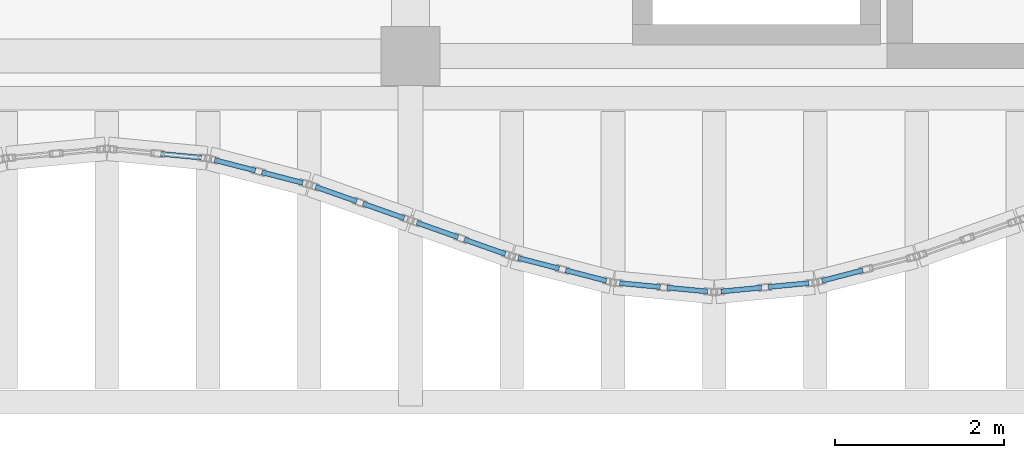
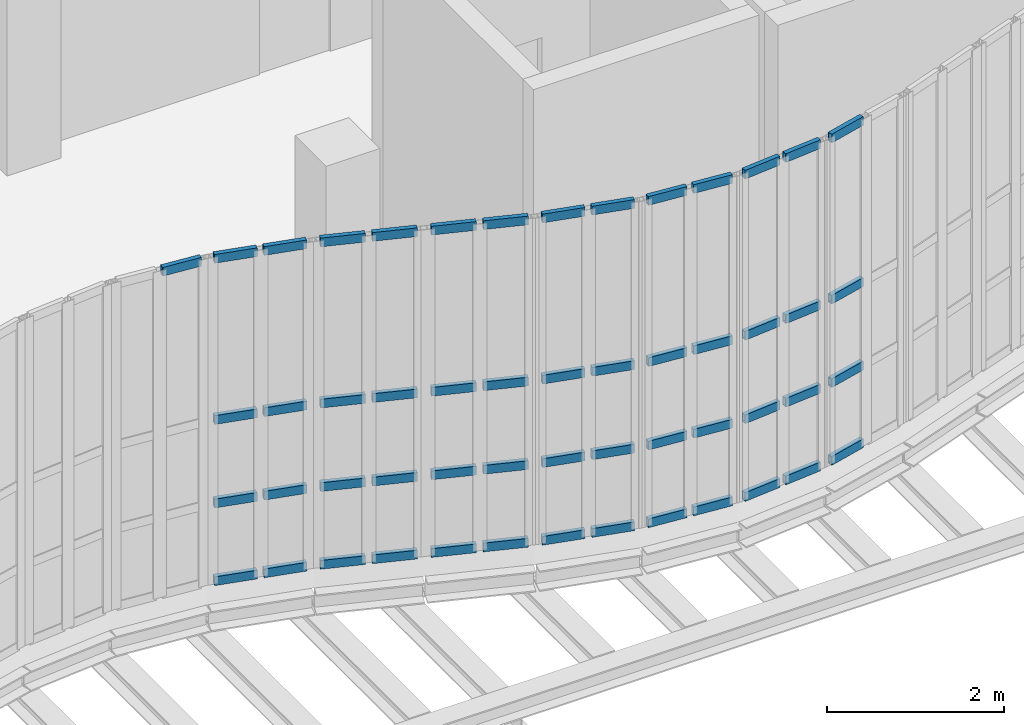
# One storey, part 61 of 108: 53 members, 8 elements without a shape of their own.
"""IFC4 building model written with IfcOpenShell, lengths in metres."""

import ifcopenshell
import ifcopenshell.guid

model = None  # the IFC model being written
_history = None  # IfcOwnerHistory: only IFC2X3 demands one
_inside = {}  # id of a spatial element -> (the spatial element, [elements in it])
_under = {}  # id of a project, library or spatial element -> (it, [spatial elements below it])
_declared = {}  # id of a project -> (the project, [libraries it declares])
_typed = {}  # id of a type object -> (the type object, [elements of that type])
_made_of = {}  # id of a material, layer set ... -> (it, [elements and type objects made of it])


def new_model(schema):
    """Start an empty IFC model of exactly this schema.

    Asked for "IFC4X3", IfcOpenShell would pick the latest addendum, in which some entities
    have other attributes; the version numbers below select the first issue.
    IFC2X3 requires an IfcOwnerHistory on every rooted entity: one is made here for all.
    """
    global model, _history
    if schema == "IFC4X3":
        model = ifcopenshell.file(schema_version=(4, 3, 0, 0))
    else:
        model = ifcopenshell.file(schema=schema)
    _inside.clear()
    _under.clear()
    _declared.clear()
    _typed.clear()
    _made_of.clear()
    _history = None
    if model.schema == "IFC2X3":
        org = make("IfcOrganization", Name="unknown")
        user = make(
            "IfcPersonAndOrganization",
            ThePerson=make("IfcPerson", FamilyName="unknown"),
            TheOrganization=org,
        )
        app = make(
            "IfcApplication",
            ApplicationDeveloper=org,
            Version="unknown",
            ApplicationFullName="unknown",
            ApplicationIdentifier="unknown",
        )
        _history = make(
            "IfcOwnerHistory",
            OwningUser=user,
            OwningApplication=app,
            ChangeAction="ADDED",
            CreationDate=0,
        )
    return model


def make(cls, **values):
    """One entity of the class cls with the attributes given. An attribute that is None is left unset."""
    return model.create_entity(
        cls, **{name: value for name, value in values.items() if value is not None}
    )


def rooted(cls, **values):
    """An entity with a GlobalId (a new one), such as an element, a storey or a relation."""
    return make(cls, GlobalId=ifcopenshell.guid.new(), OwnerHistory=_history, **values)


def si_unit(unit_type, name, prefix=None):
    """IfcSIUnit, for example si_unit("LENGTHUNIT", "METRE", prefix="MILLI")."""
    return make("IfcSIUnit", UnitType=unit_type, Prefix=prefix, Name=name)


def assignment(units):
    """IfcUnitAssignment: the units of a project."""
    return None if units is None else make("IfcUnitAssignment", Units=units)


def point(xyz):
    """IfcCartesianPoint."""
    return None if xyz is None else make("IfcCartesianPoint", Coordinates=xyz)


def direction(xyz):
    """IfcDirection."""
    return None if xyz is None else make("IfcDirection", DirectionRatios=xyz)


def frame(location, z_axis=None, x_axis=None):
    """IfcAxis2Placement3D, a coordinate frame: its origin and axes. An axis left out is left unset."""
    return make(
        "IfcAxis2Placement3D",
        Location=point(location),
        Axis=direction(z_axis),
        RefDirection=direction(x_axis),
    )


def frame_2d(location, x_axis=None):
    """IfcAxis2Placement2D, a coordinate frame in the plane: its origin and x axis."""
    return make(
        "IfcAxis2Placement2D", Location=point(location), RefDirection=direction(x_axis)
    )


def origin():
    """The frame at (0, 0, 0) with its axes left unset."""
    return frame((0.0, 0.0, 0.0))


def origin_2d():
    """The frame at (0, 0) in the plane with its x axis left unset."""
    return frame_2d((0.0, 0.0))


def place(relative_to, where):
    """IfcLocalPlacement: puts the frame where relative to a parent placement (None: the world)."""
    return make(
        "IfcLocalPlacement", PlacementRelTo=relative_to, RelativePlacement=where
    )


def context(
    kind, dimensions, precision=None, world=None, true_north=None, identifier=None
):
    """IfcGeometricRepresentationContext, for example the 3D "Model" context."""
    return make(
        "IfcGeometricRepresentationContext",
        ContextIdentifier=identifier,
        ContextType=kind,
        CoordinateSpaceDimension=dimensions,
        Precision=precision,
        WorldCoordinateSystem=world,
        TrueNorth=true_north,
    )


def subcontext(parent, identifier, kind, view, scale=None):
    """IfcGeometricRepresentationSubContext, for example "Body" below "Model"."""
    return make(
        "IfcGeometricRepresentationSubContext",
        ContextIdentifier=identifier,
        ContextType=kind,
        ParentContext=parent,
        TargetScale=scale,
        TargetView=view,
    )


def project(units=None, contexts=None):
    """IfcProject with its units and contexts."""
    return rooted(
        "IfcProject",
        Name="project",
        RepresentationContexts=contexts,
        UnitsInContext=assignment(units),
    )


def spatial(cls, under=None, at=None, **own):
    """A site, building, storey or space (cls), placed at a placement, below another one or the project."""
    s = rooted(cls, ObjectPlacement=at, **own)
    if under is not None:
        _under.setdefault(under.id(), (under, []))[1].append(s)
    return s


def profile(cls, at=None, kind="AREA", **sizes):
    """A parametric profile (cls). Its sizes go by their IFC names, for example OverallWidth=200.0."""
    return make(cls, ProfileType=kind, Position=at, **sizes)


def hollow_rectangle(**sizes):
    """IfcRectangleHollowProfileDef."""
    return profile("IfcRectangleHollowProfileDef", **sizes)


def extrude(swept, where, along, depth):
    """IfcExtrudedAreaSolid: the profile swept, set in the frame where, extruded along a direction by depth."""
    return make(
        "IfcExtrudedAreaSolid",
        SweptArea=swept,
        Position=where,
        ExtrudedDirection=direction(along),
        Depth=depth,
    )


def shape(context_of_items, identifier, shape_type, items):
    """IfcShapeRepresentation: the items that make up one representation, for example the "Body"."""
    return make(
        "IfcShapeRepresentation",
        ContextOfItems=context_of_items,
        RepresentationIdentifier=identifier,
        RepresentationType=shape_type,
        Items=items,
    )


def material(Name=None, Category=None):
    """IfcMaterial."""
    return make("IfcMaterial", Name=Name, Category=Category)


def layer(
    of_material, thickness, ventilated=None, Name=None, Category=None, Priority=None
):
    """IfcMaterialLayer: one layer of a wall or slab, of a material (None: an air gap)."""
    return make(
        "IfcMaterialLayer",
        Material=of_material,
        LayerThickness=thickness,
        IsVentilated=ventilated,
        Name=Name,
        Category=Category,
        Priority=Priority,
    )


def layer_set(layers, Name=None):
    """IfcMaterialLayerSet."""
    return make("IfcMaterialLayerSet", MaterialLayers=layers, LayerSetName=Name)


def material_profile(
    of_material, cross_section, Name=None, Category=None, Priority=None
):
    """IfcMaterialProfile: a cross section and its material."""
    return make(
        "IfcMaterialProfile",
        Name=Name,
        Material=of_material,
        Profile=cross_section,
        Priority=Priority,
        Category=Category,
    )


def profile_set(profiles, Name=None, composite=None):
    """IfcMaterialProfileSet."""
    return make(
        "IfcMaterialProfileSet",
        Name=Name,
        MaterialProfiles=profiles,
        CompositeProfile=composite,
    )


def made_of(thing, what):
    """Note that an element or type object is made of a material, layer set ...; save() writes the relation."""
    if what is not None:
        _made_of.setdefault(what.id(), (what, []))[1].append(thing)
    return thing


def type_object(cls, material=None, **own):
    """A type object (cls), such as IfcWallType, which elements share."""
    return made_of(rooted(cls, **own), material)


def element(
    cls,
    number,
    at=None,
    inside=None,
    cuts=None,
    type_object=None,
    material=None,
    context=None,
    identifier="Body",
    shape_type=None,
    held_by="IfcProductDefinitionShape",
    body=None,
    shapes=None,
    **own,
):
    """One element of the class cls, such as IfcWall. Its Tag is "e" and its number.

    at: its placement. inside: the storey or other place that contains it. cuts: it is an
    opening in that element (IfcRelVoidsElement). A single representation is given by context,
    identifier, shape_type and body (its items); several are given by shapes. held_by: the class
    of the entity that holds the representations. save() writes the other relations.
    """
    e = rooted(cls, Tag="e%d" % number, ObjectPlacement=at, **own)
    if body is not None:
        shapes = [shape(context, identifier, shape_type, body)]
    if shapes is not None:
        e.Representation = make(held_by, Representations=shapes)
    if inside is not None:
        _inside.setdefault(inside.id(), (inside, []))[1].append(e)
    if cuts is not None:
        rooted(
            "IfcRelVoidsElement", RelatingBuildingElement=cuts, RelatedOpeningElement=e
        )
    if type_object is not None:
        _typed.setdefault(type_object.id(), (type_object, []))[1].append(e)
    return made_of(e, material)


def aggregate(whole, parts):
    """IfcRelAggregates: a whole, such as a stair, and the parts it consists of."""
    return rooted("IfcRelAggregates", RelatingObject=whole, RelatedObjects=parts)


def save(model, path):
    """Write the relations noted so far, then the file.

    IfcRelAggregates (storeys below a building ...), IfcRelContainedInSpatialStructure (elements
    in a storey), IfcRelDefinesByType, IfcRelAssociatesMaterial and IfcRelDeclares: one each for
    every whole, place, type object, material and project.
    """
    for whole, parts in _under.values():
        aggregate(whole, parts)
    for where, things in _inside.values():
        rooted(
            "IfcRelContainedInSpatialStructure",
            RelatedElements=things,
            RelatingStructure=where,
        )
    for kind, things in _typed.values():
        rooted("IfcRelDefinesByType", RelatedObjects=things, RelatingType=kind)
    for what, things in _made_of.values():
        rooted("IfcRelAssociatesMaterial", RelatedObjects=things, RelatingMaterial=what)
    for by, libraries in _declared.values():
        rooted("IfcRelDeclares", RelatingContext=by, RelatedDefinitions=libraries)
    model.write(path)


model = new_model("IFC4")

# Units and contexts
model_context = context("Model", 3, precision=1e-05, world=origin(), true_north=direction((0.0, 1.0)))
body_context = subcontext(model_context, "Body", "Model", "MODEL_VIEW")
ifc_project = project(units=[si_unit("LENGTHUNIT", "METRE"), si_unit("AREAUNIT", "SQUARE_METRE"), si_unit("VOLUMEUNIT", "CUBIC_METRE"), si_unit("PLANEANGLEUNIT", "RADIAN"), si_unit("MASSUNIT", "GRAM", prefix="KILO"), si_unit("THERMODYNAMICTEMPERATUREUNIT", "KELVIN"), si_unit("POWERUNIT", "WATT")], contexts=[model_context])

# Site, building, storey
site_placement = place(None, origin())
site = spatial("IfcSite", under=ifc_project, at=site_placement, CompositionType="ELEMENT")
building_placement = place(site_placement, origin())
building = spatial("IfcBuilding", under=site, at=building_placement, Name="Kaldorven Railside Theatre", CompositionType="ELEMENT")
storey_placement = place(building_placement, frame((0.0, 0.0, 5.39990234375)))
storey = spatial("IfcBuildingStorey", under=building, at=storey_placement, Name="L01", CompositionType="ELEMENT", Elevation=5.39990234375)

# Curtain wall, member
ifc_material_1 = material(Name="Low-E laminated solar-control glass", Category="glass")
ifc_layer_1 = layer(ifc_material_1, 0.159912109375, Name="Low-E laminated solar-control glass")
ifc_layer_set_1 = layer_set([ifc_layer_1], Name="Low-E laminated solar-control glass")
curtain_wall_type_1 = type_object("IfcCurtainWallType", Name="CWT-03", PredefinedType="USERDEFINED", material=ifc_layer_set_1)
curtain_wall_1_placement = place(storey_placement, origin())
curtain_wall_1 = element("IfcCurtainWall", 1, at=curtain_wall_1_placement, inside=storey, type_object=curtain_wall_type_1, Name="Sinusoidal Fluted Curtain Wall CW-L01-S52", ObjectType="FLUTED GLAZING", PredefinedType="USERDEFINED")
ifc_material_2 = material(Name="Anodised bronze aluminium", Category="aluminium")
ifc_material_profile = material_profile(ifc_material_2, hollow_rectangle(XDim=0.06005859375, YDim=0.1201171875, WallThickness=0.0048828125, at=origin_2d()), Name="RHS 120x60x5")
ifc_profile_set = profile_set([ifc_material_profile], Name="Anodised bronze aluminium")
member_type = type_object("IfcMemberType", Name="CWT-120", PredefinedType="USERDEFINED", material=ifc_profile_set)
member_1_placement = place(storey_placement, frame((98.639892578125, 18.039306640625, 4.47021484375), z_axis=(0.995515910823, -0.094594245591, 0.0), x_axis=(0.094594245591, 0.995515910823, 0.0)))
member_1 = element("IfcMember", 2, at=member_1_placement, type_object=member_type, Name="CW-L01-S52 transom 2.4", ObjectType="TRANSOM", PredefinedType="USERDEFINED", context=body_context, shape_type="SweptSolid", body=[
    extrude(hollow_rectangle(XDim=0.06005859375, YDim=0.1201171875, WallThickness=0.0048828125, at=origin_2d()), origin(), (0.0, 0.0, 1.0), 0.482666015625),
])
aggregate(curtain_wall_1, [member_1])

# Curtain wall, members
ifc_layer_2 = layer(ifc_material_1, 0.159912109375, Name="Low-E laminated solar-control glass")
ifc_layer_set_2 = layer_set([ifc_layer_2], Name="Low-E laminated solar-control glass")
curtain_wall_type_2 = type_object("IfcCurtainWallType", Name="CWT-02", PredefinedType="USERDEFINED", material=ifc_layer_set_2)
curtain_wall_2_placement = place(storey_placement, origin())
curtain_wall_2 = element("IfcCurtainWall", 3, at=curtain_wall_2_placement, inside=storey, type_object=curtain_wall_type_2, Name="Sinusoidal Fluted Curtain Wall CW-L01-S53", ObjectType="FLUTED GLAZING", PredefinedType="USERDEFINED")
member_2_placement = place(storey_placement, frame((99.27734375, 17.966064453125, 0.030029296875), z_axis=(0.967979318949, -0.251029954561, 0.0), x_axis=(0.251029954561, 0.967979318949, 0.0)))
member_2 = element("IfcMember", 4, at=member_2_placement, type_object=member_type, Name="CW-L01-S53 transom 1.1", ObjectType="TRANSOM", PredefinedType="USERDEFINED", context=body_context, shape_type="SweptSolid", body=[
    extrude(hollow_rectangle(XDim=0.06005859375, YDim=0.1201171875, WallThickness=0.0048828125, at=origin_2d()), origin(), (0.0, 0.0, 1.0), 0.5),
])
member_3_placement = place(storey_placement, frame((99.27734375, 17.966064453125, 1.10009765625), z_axis=(0.967979318949, -0.251029954561, 0.0), x_axis=(0.251029954561, 0.967979318949, 0.0)))
member_3 = element("IfcMember", 5, at=member_3_placement, type_object=member_type, Name="CW-L01-S53 transom 1.2", ObjectType="TRANSOM", PredefinedType="USERDEFINED", context=body_context, shape_type="SweptSolid", body=[
    extrude(hollow_rectangle(XDim=0.06005859375, YDim=0.1201171875, WallThickness=0.0048828125, at=origin_2d()), origin(), (0.0, 0.0, 1.0), 0.5),
])
member_4_placement = place(storey_placement, frame((99.27734375, 17.966064453125, 2.25), z_axis=(0.967979318949, -0.251029954561, 0.0), x_axis=(0.251029954561, 0.967979318949, 0.0)))
member_4 = element("IfcMember", 6, at=member_4_placement, type_object=member_type, Name="CW-L01-S53 transom 1.3", ObjectType="TRANSOM", PredefinedType="USERDEFINED", context=body_context, shape_type="SweptSolid", body=[
    extrude(hollow_rectangle(XDim=0.06005859375, YDim=0.1201171875, WallThickness=0.0048828125, at=origin_2d()), origin(), (0.0, 0.0, 1.0), 0.5),
])
member_5_placement = place(storey_placement, frame((99.27734375, 17.966064453125, 4.47021484375), z_axis=(0.967979318949, -0.251029954561, 0.0), x_axis=(0.251029954561, 0.967979318949, 0.0)))
member_5 = element("IfcMember", 7, at=member_5_placement, type_object=member_type, Name="CW-L01-S53 transom 1.4", ObjectType="TRANSOM", PredefinedType="USERDEFINED", context=body_context, shape_type="SweptSolid", body=[
    extrude(hollow_rectangle(XDim=0.06005859375, YDim=0.1201171875, WallThickness=0.0048828125, at=origin_2d()), origin(), (0.0, 0.0, 1.0), 0.5),
])
member_6_placement = place(storey_placement, frame((99.838623046875, 17.820556640625, 0.030029296875), z_axis=(0.967979318949, -0.251029954561, 0.0), x_axis=(0.251029954561, 0.967979318949, 0.0)))
member_6 = element("IfcMember", 8, at=member_6_placement, type_object=member_type, Name="CW-L01-S53 transom 2.1", ObjectType="TRANSOM", PredefinedType="USERDEFINED", context=body_context, shape_type="SweptSolid", body=[
    extrude(hollow_rectangle(XDim=0.06005859375, YDim=0.1201171875, WallThickness=0.0048828125, at=origin_2d()), origin(), (0.0, 0.0, 1.0), 0.5),
])
member_7_placement = place(storey_placement, frame((99.838623046875, 17.820556640625, 1.10009765625), z_axis=(0.967979318949, -0.251029954561, 0.0), x_axis=(0.251029954561, 0.967979318949, 0.0)))
member_7 = element("IfcMember", 9, at=member_7_placement, type_object=member_type, Name="CW-L01-S53 transom 2.2", ObjectType="TRANSOM", PredefinedType="USERDEFINED", context=body_context, shape_type="SweptSolid", body=[
    extrude(hollow_rectangle(XDim=0.06005859375, YDim=0.1201171875, WallThickness=0.0048828125, at=origin_2d()), origin(), (0.0, 0.0, 1.0), 0.5),
])
member_8_placement = place(storey_placement, frame((99.838623046875, 17.820556640625, 2.25), z_axis=(0.967979318949, -0.251029954561, 0.0), x_axis=(0.251029954561, 0.967979318949, 0.0)))
member_8 = element("IfcMember", 10, at=member_8_placement, type_object=member_type, Name="CW-L01-S53 transom 2.3", ObjectType="TRANSOM", PredefinedType="USERDEFINED", context=body_context, shape_type="SweptSolid", body=[
    extrude(hollow_rectangle(XDim=0.06005859375, YDim=0.1201171875, WallThickness=0.0048828125, at=origin_2d()), origin(), (0.0, 0.0, 1.0), 0.5),
])
member_9_placement = place(storey_placement, frame((99.838623046875, 17.820556640625, 4.47021484375), z_axis=(0.967979318949, -0.251029954561, 0.0), x_axis=(0.251029954561, 0.967979318949, 0.0)))
member_9 = element("IfcMember", 11, at=member_9_placement, type_object=member_type, Name="CW-L01-S53 transom 2.4", ObjectType="TRANSOM", PredefinedType="USERDEFINED", context=body_context, shape_type="SweptSolid", body=[
    extrude(hollow_rectangle(XDim=0.06005859375, YDim=0.1201171875, WallThickness=0.0048828125, at=origin_2d()), origin(), (0.0, 0.0, 1.0), 0.5),
])
aggregate(curtain_wall_2, [member_2, member_3, member_4, member_5, member_6, member_7, member_8, member_9])

ifc_layer_3 = layer(ifc_material_1, 0.159912109375, Name="Low-E laminated solar-control glass")
ifc_layer_set_3 = layer_set([ifc_layer_3], Name="Low-E laminated solar-control glass")
curtain_wall_type_3 = type_object("IfcCurtainWallType", Name="CWT-01", PredefinedType="USERDEFINED", material=ifc_layer_set_3)
curtain_wall_3_placement = place(storey_placement, origin())
curtain_wall_3 = element("IfcCurtainWall", 12, at=curtain_wall_3_placement, inside=storey, type_object=curtain_wall_type_3, Name="Sinusoidal Fluted Curtain Wall CW-L01-S54", ObjectType="FLUTED GLAZING", PredefinedType="USERDEFINED")
member_10_placement = place(storey_placement, frame((100.475341796875, 17.648193359375, 0.030029296875), z_axis=(0.942710841688, -0.333610954502, 0.0), x_axis=(0.333610954502, 0.942710841688, 0.0)))
member_10 = element("IfcMember", 13, at=member_10_placement, type_object=member_type, Name="CW-L01-S54 transom 1.1", ObjectType="TRANSOM", PredefinedType="USERDEFINED", context=body_context, shape_type="SweptSolid", body=[
    extrude(hollow_rectangle(XDim=0.06005859375, YDim=0.1201171875, WallThickness=0.0048828125, at=origin_2d()), origin(), (0.0, 0.0, 1.0), 0.5166015625),
])
member_11_placement = place(storey_placement, frame((100.475341796875, 17.648193359375, 1.10009765625), z_axis=(0.942710841688, -0.333610954502, 0.0), x_axis=(0.333610954502, 0.942710841688, 0.0)))
member_11 = element("IfcMember", 14, at=member_11_placement, type_object=member_type, Name="CW-L01-S54 transom 1.2", ObjectType="TRANSOM", PredefinedType="USERDEFINED", context=body_context, shape_type="SweptSolid", body=[
    extrude(hollow_rectangle(XDim=0.06005859375, YDim=0.1201171875, WallThickness=0.0048828125, at=origin_2d()), origin(), (0.0, 0.0, 1.0), 0.5166015625),
])
member_12_placement = place(storey_placement, frame((100.475341796875, 17.648193359375, 2.25), z_axis=(0.942710841688, -0.333610954502, 0.0), x_axis=(0.333610954502, 0.942710841688, 0.0)))
member_12 = element("IfcMember", 15, at=member_12_placement, type_object=member_type, Name="CW-L01-S54 transom 1.3", ObjectType="TRANSOM", PredefinedType="USERDEFINED", context=body_context, shape_type="SweptSolid", body=[
    extrude(hollow_rectangle(XDim=0.06005859375, YDim=0.1201171875, WallThickness=0.0048828125, at=origin_2d()), origin(), (0.0, 0.0, 1.0), 0.5166015625),
])
member_13_placement = place(storey_placement, frame((100.475341796875, 17.648193359375, 4.47021484375), z_axis=(0.942710841688, -0.333610954502, 0.0), x_axis=(0.333610954502, 0.942710841688, 0.0)))
member_13 = element("IfcMember", 16, at=member_13_placement, type_object=member_type, Name="CW-L01-S54 transom 1.4", ObjectType="TRANSOM", PredefinedType="USERDEFINED", context=body_context, shape_type="SweptSolid", body=[
    extrude(hollow_rectangle(XDim=0.06005859375, YDim=0.1201171875, WallThickness=0.0048828125, at=origin_2d()), origin(), (0.0, 0.0, 1.0), 0.5166015625),
])
member_14_placement = place(storey_placement, frame((101.03759765625, 17.44921875, 0.030029296875), z_axis=(0.94256215944, -0.334030800363, 0.0), x_axis=(0.334030800363, 0.94256215944, 0.0)))
member_14 = element("IfcMember", 17, at=member_14_placement, type_object=member_type, Name="CW-L01-S54 transom 2.1", ObjectType="TRANSOM", PredefinedType="USERDEFINED", context=body_context, shape_type="SweptSolid", body=[
    extrude(hollow_rectangle(XDim=0.06005859375, YDim=0.1201171875, WallThickness=0.0048828125, at=origin_2d()), origin(), (0.0, 0.0, 1.0), 0.516845703125),
])
member_15_placement = place(storey_placement, frame((101.03759765625, 17.44921875, 1.10009765625), z_axis=(0.94256215944, -0.334030800363, 0.0), x_axis=(0.334030800363, 0.94256215944, 0.0)))
member_15 = element("IfcMember", 18, at=member_15_placement, type_object=member_type, Name="CW-L01-S54 transom 2.2", ObjectType="TRANSOM", PredefinedType="USERDEFINED", context=body_context, shape_type="SweptSolid", body=[
    extrude(hollow_rectangle(XDim=0.06005859375, YDim=0.1201171875, WallThickness=0.0048828125, at=origin_2d()), origin(), (0.0, 0.0, 1.0), 0.516845703125),
])
member_16_placement = place(storey_placement, frame((101.03759765625, 17.44921875, 2.25), z_axis=(0.94256215944, -0.334030800363, 0.0), x_axis=(0.334030800363, 0.94256215944, 0.0)))
member_16 = element("IfcMember", 19, at=member_16_placement, type_object=member_type, Name="CW-L01-S54 transom 2.3", ObjectType="TRANSOM", PredefinedType="USERDEFINED", context=body_context, shape_type="SweptSolid", body=[
    extrude(hollow_rectangle(XDim=0.06005859375, YDim=0.1201171875, WallThickness=0.0048828125, at=origin_2d()), origin(), (0.0, 0.0, 1.0), 0.516845703125),
])
member_17_placement = place(storey_placement, frame((101.03759765625, 17.44921875, 4.47021484375), z_axis=(0.94256215944, -0.334030800363, 0.0), x_axis=(0.334030800363, 0.94256215944, 0.0)))
member_17 = element("IfcMember", 20, at=member_17_placement, type_object=member_type, Name="CW-L01-S54 transom 2.4", ObjectType="TRANSOM", PredefinedType="USERDEFINED", context=body_context, shape_type="SweptSolid", body=[
    extrude(hollow_rectangle(XDim=0.06005859375, YDim=0.1201171875, WallThickness=0.0048828125, at=origin_2d()), origin(), (0.0, 0.0, 1.0), 0.516845703125),
])
aggregate(curtain_wall_3, [member_10, member_11, member_12, member_13, member_14, member_15, member_16, member_17])

curtain_wall_4_placement = place(storey_placement, origin())
curtain_wall_4 = element("IfcCurtainWall", 21, at=curtain_wall_4_placement, inside=storey, type_object=curtain_wall_type_3, Name="Sinusoidal Fluted Curtain Wall CW-L01-S55", ObjectType="FLUTED GLAZING", PredefinedType="USERDEFINED")
member_18_placement = place(storey_placement, frame((101.67529296875, 17.223388671875, 0.030029296875), z_axis=(0.94256215944, -0.334030800363, 0.0), x_axis=(0.334030800363, 0.94256215944, 0.0)))
member_18 = element("IfcMember", 22, at=member_18_placement, type_object=member_type, Name="CW-L01-S55 transom 1.1", ObjectType="TRANSOM", PredefinedType="USERDEFINED", context=body_context, shape_type="SweptSolid", body=[
    extrude(hollow_rectangle(XDim=0.06005859375, YDim=0.1201171875, WallThickness=0.0048828125, at=origin_2d()), origin(), (0.0, 0.0, 1.0), 0.516845703125),
])
member_19_placement = place(storey_placement, frame((101.67529296875, 17.223388671875, 1.10009765625), z_axis=(0.94256215944, -0.334030800363, 0.0), x_axis=(0.334030800363, 0.94256215944, 0.0)))
member_19 = element("IfcMember", 23, at=member_19_placement, type_object=member_type, Name="CW-L01-S55 transom 1.2", ObjectType="TRANSOM", PredefinedType="USERDEFINED", context=body_context, shape_type="SweptSolid", body=[
    extrude(hollow_rectangle(XDim=0.06005859375, YDim=0.1201171875, WallThickness=0.0048828125, at=origin_2d()), origin(), (0.0, 0.0, 1.0), 0.516845703125),
])
member_20_placement = place(storey_placement, frame((101.67529296875, 17.223388671875, 2.25), z_axis=(0.94256215944, -0.334030800363, 0.0), x_axis=(0.334030800363, 0.94256215944, 0.0)))
member_20 = element("IfcMember", 24, at=member_20_placement, type_object=member_type, Name="CW-L01-S55 transom 1.3", ObjectType="TRANSOM", PredefinedType="USERDEFINED", context=body_context, shape_type="SweptSolid", body=[
    extrude(hollow_rectangle(XDim=0.06005859375, YDim=0.1201171875, WallThickness=0.0048828125, at=origin_2d()), origin(), (0.0, 0.0, 1.0), 0.516845703125),
])
member_21_placement = place(storey_placement, frame((101.67529296875, 17.223388671875, 4.47021484375), z_axis=(0.94256215944, -0.334030800363, 0.0), x_axis=(0.334030800363, 0.94256215944, 0.0)))
member_21 = element("IfcMember", 25, at=member_21_placement, type_object=member_type, Name="CW-L01-S55 transom 1.4", ObjectType="TRANSOM", PredefinedType="USERDEFINED", context=body_context, shape_type="SweptSolid", body=[
    extrude(hollow_rectangle(XDim=0.06005859375, YDim=0.1201171875, WallThickness=0.0048828125, at=origin_2d()), origin(), (0.0, 0.0, 1.0), 0.516845703125),
])
member_22_placement = place(storey_placement, frame((102.23779296875, 17.024169921875, 0.030029296875), z_axis=(0.942658214948, -0.333759628763, 0.0), x_axis=(0.333759628763, 0.942658214948, 0.0)))
member_22 = element("IfcMember", 26, at=member_22_placement, type_object=member_type, Name="CW-L01-S55 transom 2.1", ObjectType="TRANSOM", PredefinedType="USERDEFINED", context=body_context, shape_type="SweptSolid", body=[
    extrude(hollow_rectangle(XDim=0.06005859375, YDim=0.1201171875, WallThickness=0.0048828125, at=origin_2d()), origin(), (0.0, 0.0, 1.0), 0.516357421875),
])
member_23_placement = place(storey_placement, frame((102.23779296875, 17.024169921875, 1.10009765625), z_axis=(0.942658214948, -0.333759628763, 0.0), x_axis=(0.333759628763, 0.942658214948, 0.0)))
member_23 = element("IfcMember", 27, at=member_23_placement, type_object=member_type, Name="CW-L01-S55 transom 2.2", ObjectType="TRANSOM", PredefinedType="USERDEFINED", context=body_context, shape_type="SweptSolid", body=[
    extrude(hollow_rectangle(XDim=0.06005859375, YDim=0.1201171875, WallThickness=0.0048828125, at=origin_2d()), origin(), (0.0, 0.0, 1.0), 0.516357421875),
])
member_24_placement = place(storey_placement, frame((102.23779296875, 17.024169921875, 2.25), z_axis=(0.942658214948, -0.333759628763, 0.0), x_axis=(0.333759628763, 0.942658214948, 0.0)))
member_24 = element("IfcMember", 28, at=member_24_placement, type_object=member_type, Name="CW-L01-S55 transom 2.3", ObjectType="TRANSOM", PredefinedType="USERDEFINED", context=body_context, shape_type="SweptSolid", body=[
    extrude(hollow_rectangle(XDim=0.06005859375, YDim=0.1201171875, WallThickness=0.0048828125, at=origin_2d()), origin(), (0.0, 0.0, 1.0), 0.516357421875),
])
member_25_placement = place(storey_placement, frame((102.23779296875, 17.024169921875, 4.47021484375), z_axis=(0.942658214948, -0.333759628763, 0.0), x_axis=(0.333759628763, 0.942658214948, 0.0)))
member_25 = element("IfcMember", 29, at=member_25_placement, type_object=member_type, Name="CW-L01-S55 transom 2.4", ObjectType="TRANSOM", PredefinedType="USERDEFINED", context=body_context, shape_type="SweptSolid", body=[
    extrude(hollow_rectangle(XDim=0.06005859375, YDim=0.1201171875, WallThickness=0.0048828125, at=origin_2d()), origin(), (0.0, 0.0, 1.0), 0.516357421875),
])
aggregate(curtain_wall_4, [member_18, member_19, member_20, member_21, member_22, member_23, member_24, member_25])

curtain_wall_5_placement = place(storey_placement, origin())
curtain_wall_5 = element("IfcCurtainWall", 30, at=curtain_wall_5_placement, inside=storey, type_object=curtain_wall_type_2, Name="Sinusoidal Fluted Curtain Wall CW-L01-S56", ObjectType="FLUTED GLAZING", PredefinedType="USERDEFINED")
member_26_placement = place(storey_placement, frame((102.87744140625, 16.804931640625, 0.030029296875), z_axis=(0.967979318949, -0.251029954561, 0.0), x_axis=(0.251029954561, 0.967979318949, 0.0)))
member_26 = element("IfcMember", 31, at=member_26_placement, type_object=member_type, Name="CW-L01-S56 transom 1.1", ObjectType="TRANSOM", PredefinedType="USERDEFINED", context=body_context, shape_type="SweptSolid", body=[
    extrude(hollow_rectangle(XDim=0.06005859375, YDim=0.1201171875, WallThickness=0.0048828125, at=origin_2d()), origin(), (0.0, 0.0, 1.0), 0.5),
])
member_27_placement = place(storey_placement, frame((102.87744140625, 16.804931640625, 1.10009765625), z_axis=(0.967979318949, -0.251029954561, 0.0), x_axis=(0.251029954561, 0.967979318949, 0.0)))
member_27 = element("IfcMember", 32, at=member_27_placement, type_object=member_type, Name="CW-L01-S56 transom 1.2", ObjectType="TRANSOM", PredefinedType="USERDEFINED", context=body_context, shape_type="SweptSolid", body=[
    extrude(hollow_rectangle(XDim=0.06005859375, YDim=0.1201171875, WallThickness=0.0048828125, at=origin_2d()), origin(), (0.0, 0.0, 1.0), 0.5),
])
member_28_placement = place(storey_placement, frame((102.87744140625, 16.804931640625, 2.25), z_axis=(0.967979318949, -0.251029954561, 0.0), x_axis=(0.251029954561, 0.967979318949, 0.0)))
member_28 = element("IfcMember", 33, at=member_28_placement, type_object=member_type, Name="CW-L01-S56 transom 1.3", ObjectType="TRANSOM", PredefinedType="USERDEFINED", context=body_context, shape_type="SweptSolid", body=[
    extrude(hollow_rectangle(XDim=0.06005859375, YDim=0.1201171875, WallThickness=0.0048828125, at=origin_2d()), origin(), (0.0, 0.0, 1.0), 0.5),
])
member_29_placement = place(storey_placement, frame((102.87744140625, 16.804931640625, 4.47021484375), z_axis=(0.967979318949, -0.251029954561, 0.0), x_axis=(0.251029954561, 0.967979318949, 0.0)))
member_29 = element("IfcMember", 34, at=member_29_placement, type_object=member_type, Name="CW-L01-S56 transom 1.4", ObjectType="TRANSOM", PredefinedType="USERDEFINED", context=body_context, shape_type="SweptSolid", body=[
    extrude(hollow_rectangle(XDim=0.06005859375, YDim=0.1201171875, WallThickness=0.0048828125, at=origin_2d()), origin(), (0.0, 0.0, 1.0), 0.5),
])
member_30_placement = place(storey_placement, frame((103.438720703125, 16.659423828125, 0.030029296875), z_axis=(0.967979318949, -0.251029954561, 0.0), x_axis=(0.251029954561, 0.967979318949, 0.0)))
member_30 = element("IfcMember", 35, at=member_30_placement, type_object=member_type, Name="CW-L01-S56 transom 2.1", ObjectType="TRANSOM", PredefinedType="USERDEFINED", context=body_context, shape_type="SweptSolid", body=[
    extrude(hollow_rectangle(XDim=0.06005859375, YDim=0.1201171875, WallThickness=0.0048828125, at=origin_2d()), origin(), (0.0, 0.0, 1.0), 0.5),
])
member_31_placement = place(storey_placement, frame((103.438720703125, 16.659423828125, 1.10009765625), z_axis=(0.967979318949, -0.251029954561, 0.0), x_axis=(0.251029954561, 0.967979318949, 0.0)))
member_31 = element("IfcMember", 36, at=member_31_placement, type_object=member_type, Name="CW-L01-S56 transom 2.2", ObjectType="TRANSOM", PredefinedType="USERDEFINED", context=body_context, shape_type="SweptSolid", body=[
    extrude(hollow_rectangle(XDim=0.06005859375, YDim=0.1201171875, WallThickness=0.0048828125, at=origin_2d()), origin(), (0.0, 0.0, 1.0), 0.5),
])
member_32_placement = place(storey_placement, frame((103.438720703125, 16.659423828125, 2.25), z_axis=(0.967979318949, -0.251029954561, 0.0), x_axis=(0.251029954561, 0.967979318949, 0.0)))
member_32 = element("IfcMember", 37, at=member_32_placement, type_object=member_type, Name="CW-L01-S56 transom 2.3", ObjectType="TRANSOM", PredefinedType="USERDEFINED", context=body_context, shape_type="SweptSolid", body=[
    extrude(hollow_rectangle(XDim=0.06005859375, YDim=0.1201171875, WallThickness=0.0048828125, at=origin_2d()), origin(), (0.0, 0.0, 1.0), 0.5),
])
member_33_placement = place(storey_placement, frame((103.438720703125, 16.659423828125, 4.47021484375), z_axis=(0.967979318949, -0.251029954561, 0.0), x_axis=(0.251029954561, 0.967979318949, 0.0)))
member_33 = element("IfcMember", 38, at=member_33_placement, type_object=member_type, Name="CW-L01-S56 transom 2.4", ObjectType="TRANSOM", PredefinedType="USERDEFINED", context=body_context, shape_type="SweptSolid", body=[
    extrude(hollow_rectangle(XDim=0.06005859375, YDim=0.1201171875, WallThickness=0.0048828125, at=origin_2d()), origin(), (0.0, 0.0, 1.0), 0.5),
])
aggregate(curtain_wall_5, [member_26, member_27, member_28, member_29, member_30, member_31, member_32, member_33])

curtain_wall_6_placement = place(storey_placement, origin())
curtain_wall_6 = element("IfcCurtainWall", 39, at=curtain_wall_6_placement, inside=storey, type_object=curtain_wall_type_1, Name="Sinusoidal Fluted Curtain Wall CW-L01-S57", ObjectType="FLUTED GLAZING", PredefinedType="USERDEFINED")
member_34_placement = place(storey_placement, frame((104.07958984375, 16.50634765625, 0.030029296875), z_axis=(0.995515910823, -0.094594245591, 0.0), x_axis=(0.094594245591, 0.995515910823, 0.0)))
member_34 = element("IfcMember", 40, at=member_34_placement, type_object=member_type, Name="CW-L01-S57 transom 1.1", ObjectType="TRANSOM", PredefinedType="USERDEFINED", context=body_context, shape_type="SweptSolid", body=[
    extrude(hollow_rectangle(XDim=0.06005859375, YDim=0.1201171875, WallThickness=0.0048828125, at=origin_2d()), origin(), (0.0, 0.0, 1.0), 0.482666015625),
])
member_35_placement = place(storey_placement, frame((104.07958984375, 16.50634765625, 1.10009765625), z_axis=(0.995515910823, -0.094594245591, 0.0), x_axis=(0.094594245591, 0.995515910823, 0.0)))
member_35 = element("IfcMember", 41, at=member_35_placement, type_object=member_type, Name="CW-L01-S57 transom 1.2", ObjectType="TRANSOM", PredefinedType="USERDEFINED", context=body_context, shape_type="SweptSolid", body=[
    extrude(hollow_rectangle(XDim=0.06005859375, YDim=0.1201171875, WallThickness=0.0048828125, at=origin_2d()), origin(), (0.0, 0.0, 1.0), 0.482666015625),
])
member_36_placement = place(storey_placement, frame((104.07958984375, 16.50634765625, 2.25), z_axis=(0.995515910823, -0.094594245591, 0.0), x_axis=(0.094594245591, 0.995515910823, 0.0)))
member_36 = element("IfcMember", 42, at=member_36_placement, type_object=member_type, Name="CW-L01-S57 transom 1.3", ObjectType="TRANSOM", PredefinedType="USERDEFINED", context=body_context, shape_type="SweptSolid", body=[
    extrude(hollow_rectangle(XDim=0.06005859375, YDim=0.1201171875, WallThickness=0.0048828125, at=origin_2d()), origin(), (0.0, 0.0, 1.0), 0.482666015625),
])
member_37_placement = place(storey_placement, frame((104.07958984375, 16.50634765625, 4.47021484375), z_axis=(0.995515910823, -0.094594245591, 0.0), x_axis=(0.094594245591, 0.995515910823, 0.0)))
member_37 = element("IfcMember", 43, at=member_37_placement, type_object=member_type, Name="CW-L01-S57 transom 1.4", ObjectType="TRANSOM", PredefinedType="USERDEFINED", context=body_context, shape_type="SweptSolid", body=[
    extrude(hollow_rectangle(XDim=0.06005859375, YDim=0.1201171875, WallThickness=0.0048828125, at=origin_2d()), origin(), (0.0, 0.0, 1.0), 0.482666015625),
])
member_38_placement = place(storey_placement, frame((104.639892578125, 16.453125, 0.030029296875), z_axis=(0.995515910823, -0.094594245591, 0.0), x_axis=(0.094594245591, 0.995515910823, 0.0)))
member_38 = element("IfcMember", 44, at=member_38_placement, type_object=member_type, Name="CW-L01-S57 transom 2.1", ObjectType="TRANSOM", PredefinedType="USERDEFINED", context=body_context, shape_type="SweptSolid", body=[
    extrude(hollow_rectangle(XDim=0.06005859375, YDim=0.1201171875, WallThickness=0.0048828125, at=origin_2d()), origin(), (0.0, 0.0, 1.0), 0.482666015625),
])
member_39_placement = place(storey_placement, frame((104.639892578125, 16.453125, 1.10009765625), z_axis=(0.995515910823, -0.094594245591, 0.0), x_axis=(0.094594245591, 0.995515910823, 0.0)))
member_39 = element("IfcMember", 45, at=member_39_placement, type_object=member_type, Name="CW-L01-S57 transom 2.2", ObjectType="TRANSOM", PredefinedType="USERDEFINED", context=body_context, shape_type="SweptSolid", body=[
    extrude(hollow_rectangle(XDim=0.06005859375, YDim=0.1201171875, WallThickness=0.0048828125, at=origin_2d()), origin(), (0.0, 0.0, 1.0), 0.482666015625),
])
member_40_placement = place(storey_placement, frame((104.639892578125, 16.453125, 2.25), z_axis=(0.995515910823, -0.094594245591, 0.0), x_axis=(0.094594245591, 0.995515910823, 0.0)))
member_40 = element("IfcMember", 46, at=member_40_placement, type_object=member_type, Name="CW-L01-S57 transom 2.3", ObjectType="TRANSOM", PredefinedType="USERDEFINED", context=body_context, shape_type="SweptSolid", body=[
    extrude(hollow_rectangle(XDim=0.06005859375, YDim=0.1201171875, WallThickness=0.0048828125, at=origin_2d()), origin(), (0.0, 0.0, 1.0), 0.482666015625),
])
member_41_placement = place(storey_placement, frame((104.639892578125, 16.453125, 4.47021484375), z_axis=(0.995515910823, -0.094594245591, 0.0), x_axis=(0.094594245591, 0.995515910823, 0.0)))
member_41 = element("IfcMember", 47, at=member_41_placement, type_object=member_type, Name="CW-L01-S57 transom 2.4", ObjectType="TRANSOM", PredefinedType="USERDEFINED", context=body_context, shape_type="SweptSolid", body=[
    extrude(hollow_rectangle(XDim=0.06005859375, YDim=0.1201171875, WallThickness=0.0048828125, at=origin_2d()), origin(), (0.0, 0.0, 1.0), 0.482666015625),
])
aggregate(curtain_wall_6, [member_34, member_35, member_36, member_37, member_38, member_39, member_40, member_41])

curtain_wall_7_placement = place(storey_placement, origin())
curtain_wall_7 = element("IfcCurtainWall", 48, at=curtain_wall_7_placement, inside=storey, type_object=curtain_wall_type_1, Name="Sinusoidal Fluted Curtain Wall CW-L01-S58", ObjectType="FLUTED GLAZING", PredefinedType="USERDEFINED")
member_42_placement = place(storey_placement, frame((105.279541015625, 16.407470703125, 0.030029296875), z_axis=(0.995520433802, 0.094546633378, 0.0), x_axis=(-0.094546633378, 0.995520433802, 0.0)))
member_42 = element("IfcMember", 49, at=member_42_placement, type_object=member_type, Name="CW-L01-S58 transom 1.1", ObjectType="TRANSOM", PredefinedType="USERDEFINED", context=body_context, shape_type="SweptSolid", body=[
    extrude(hollow_rectangle(XDim=0.06005859375, YDim=0.1201171875, WallThickness=0.0048828125, at=origin_2d()), origin(), (0.0, 0.0, 1.0), 0.48291015625),
])
member_43_placement = place(storey_placement, frame((105.279541015625, 16.407470703125, 1.10009765625), z_axis=(0.995520433802, 0.094546633378, 0.0), x_axis=(-0.094546633378, 0.995520433802, 0.0)))
member_43 = element("IfcMember", 50, at=member_43_placement, type_object=member_type, Name="CW-L01-S58 transom 1.2", ObjectType="TRANSOM", PredefinedType="USERDEFINED", context=body_context, shape_type="SweptSolid", body=[
    extrude(hollow_rectangle(XDim=0.06005859375, YDim=0.1201171875, WallThickness=0.0048828125, at=origin_2d()), origin(), (0.0, 0.0, 1.0), 0.48291015625),
])
member_44_placement = place(storey_placement, frame((105.279541015625, 16.407470703125, 2.25), z_axis=(0.995520433802, 0.094546633378, 0.0), x_axis=(-0.094546633378, 0.995520433802, 0.0)))
member_44 = element("IfcMember", 51, at=member_44_placement, type_object=member_type, Name="CW-L01-S58 transom 1.3", ObjectType="TRANSOM", PredefinedType="USERDEFINED", context=body_context, shape_type="SweptSolid", body=[
    extrude(hollow_rectangle(XDim=0.06005859375, YDim=0.1201171875, WallThickness=0.0048828125, at=origin_2d()), origin(), (0.0, 0.0, 1.0), 0.48291015625),
])
member_45_placement = place(storey_placement, frame((105.279541015625, 16.407470703125, 4.47021484375), z_axis=(0.995520433802, 0.094546633378, 0.0), x_axis=(-0.094546633378, 0.995520433802, 0.0)))
member_45 = element("IfcMember", 52, at=member_45_placement, type_object=member_type, Name="CW-L01-S58 transom 1.4", ObjectType="TRANSOM", PredefinedType="USERDEFINED", context=body_context, shape_type="SweptSolid", body=[
    extrude(hollow_rectangle(XDim=0.06005859375, YDim=0.1201171875, WallThickness=0.0048828125, at=origin_2d()), origin(), (0.0, 0.0, 1.0), 0.48291015625),
])
member_46_placement = place(storey_placement, frame((105.83984375, 16.460693359375, 0.030029296875), z_axis=(0.995515910823, 0.094594245591, 0.0), x_axis=(-0.094594245591, 0.995515910823, 0.0)))
member_46 = element("IfcMember", 53, at=member_46_placement, type_object=member_type, Name="CW-L01-S58 transom 2.1", ObjectType="TRANSOM", PredefinedType="USERDEFINED", context=body_context, shape_type="SweptSolid", body=[
    extrude(hollow_rectangle(XDim=0.06005859375, YDim=0.1201171875, WallThickness=0.0048828125, at=origin_2d()), origin(), (0.0, 0.0, 1.0), 0.482666015625),
])
member_47_placement = place(storey_placement, frame((105.83984375, 16.460693359375, 1.10009765625), z_axis=(0.995515910823, 0.094594245591, 0.0), x_axis=(-0.094594245591, 0.995515910823, 0.0)))
member_47 = element("IfcMember", 54, at=member_47_placement, type_object=member_type, Name="CW-L01-S58 transom 2.2", ObjectType="TRANSOM", PredefinedType="USERDEFINED", context=body_context, shape_type="SweptSolid", body=[
    extrude(hollow_rectangle(XDim=0.06005859375, YDim=0.1201171875, WallThickness=0.0048828125, at=origin_2d()), origin(), (0.0, 0.0, 1.0), 0.482666015625),
])
member_48_placement = place(storey_placement, frame((105.83984375, 16.460693359375, 2.25), z_axis=(0.995515910823, 0.094594245591, 0.0), x_axis=(-0.094594245591, 0.995515910823, 0.0)))
member_48 = element("IfcMember", 55, at=member_48_placement, type_object=member_type, Name="CW-L01-S58 transom 2.3", ObjectType="TRANSOM", PredefinedType="USERDEFINED", context=body_context, shape_type="SweptSolid", body=[
    extrude(hollow_rectangle(XDim=0.06005859375, YDim=0.1201171875, WallThickness=0.0048828125, at=origin_2d()), origin(), (0.0, 0.0, 1.0), 0.482666015625),
])
member_49_placement = place(storey_placement, frame((105.83984375, 16.460693359375, 4.47021484375), z_axis=(0.995515910823, 0.094594245591, 0.0), x_axis=(-0.094594245591, 0.995515910823, 0.0)))
member_49 = element("IfcMember", 56, at=member_49_placement, type_object=member_type, Name="CW-L01-S58 transom 2.4", ObjectType="TRANSOM", PredefinedType="USERDEFINED", context=body_context, shape_type="SweptSolid", body=[
    extrude(hollow_rectangle(XDim=0.06005859375, YDim=0.1201171875, WallThickness=0.0048828125, at=origin_2d()), origin(), (0.0, 0.0, 1.0), 0.482666015625),
])
aggregate(curtain_wall_7, [member_42, member_43, member_44, member_45, member_46, member_47, member_48, member_49])

curtain_wall_8_placement = place(storey_placement, origin())
curtain_wall_8 = element("IfcCurtainWall", 57, at=curtain_wall_8_placement, inside=storey, type_object=curtain_wall_type_2, Name="Sinusoidal Fluted Curtain Wall CW-L01-S59", ObjectType="FLUTED GLAZING", PredefinedType="USERDEFINED")
member_50_placement = place(storey_placement, frame((106.4775390625, 16.533935546875, 0.030029296875), z_axis=(0.967948521016, 0.251148682384, 0.0), x_axis=(-0.251148682384, 0.967948521016, 0.0)))
member_50 = element("IfcMember", 58, at=member_50_placement, type_object=member_type, Name="CW-L01-S59 transom 1.1", ObjectType="TRANSOM", PredefinedType="USERDEFINED", context=body_context, shape_type="SweptSolid", body=[
    extrude(hollow_rectangle(XDim=0.06005859375, YDim=0.1201171875, WallThickness=0.0048828125, at=origin_2d()), origin(), (0.0, 0.0, 1.0), 0.499755859375),
])
member_51_placement = place(storey_placement, frame((106.4775390625, 16.533935546875, 1.10009765625), z_axis=(0.967948521016, 0.251148682384, 0.0), x_axis=(-0.251148682384, 0.967948521016, 0.0)))
member_51 = element("IfcMember", 59, at=member_51_placement, type_object=member_type, Name="CW-L01-S59 transom 1.2", ObjectType="TRANSOM", PredefinedType="USERDEFINED", context=body_context, shape_type="SweptSolid", body=[
    extrude(hollow_rectangle(XDim=0.06005859375, YDim=0.1201171875, WallThickness=0.0048828125, at=origin_2d()), origin(), (0.0, 0.0, 1.0), 0.499755859375),
])
member_52_placement = place(storey_placement, frame((106.4775390625, 16.533935546875, 2.25), z_axis=(0.967948521016, 0.251148682384, 0.0), x_axis=(-0.251148682384, 0.967948521016, 0.0)))
member_52 = element("IfcMember", 60, at=member_52_placement, type_object=member_type, Name="CW-L01-S59 transom 1.3", ObjectType="TRANSOM", PredefinedType="USERDEFINED", context=body_context, shape_type="SweptSolid", body=[
    extrude(hollow_rectangle(XDim=0.06005859375, YDim=0.1201171875, WallThickness=0.0048828125, at=origin_2d()), origin(), (0.0, 0.0, 1.0), 0.499755859375),
])
member_53_placement = place(storey_placement, frame((106.4775390625, 16.533935546875, 4.47021484375), z_axis=(0.967948521016, 0.251148682384, 0.0), x_axis=(-0.251148682384, 0.967948521016, 0.0)))
member_53 = element("IfcMember", 61, at=member_53_placement, type_object=member_type, Name="CW-L01-S59 transom 1.4", ObjectType="TRANSOM", PredefinedType="USERDEFINED", context=body_context, shape_type="SweptSolid", body=[
    extrude(hollow_rectangle(XDim=0.06005859375, YDim=0.1201171875, WallThickness=0.0048828125, at=origin_2d()), origin(), (0.0, 0.0, 1.0), 0.499755859375),
])
aggregate(curtain_wall_8, [member_50, member_51, member_52, member_53])

save(model, "model.ifc")
